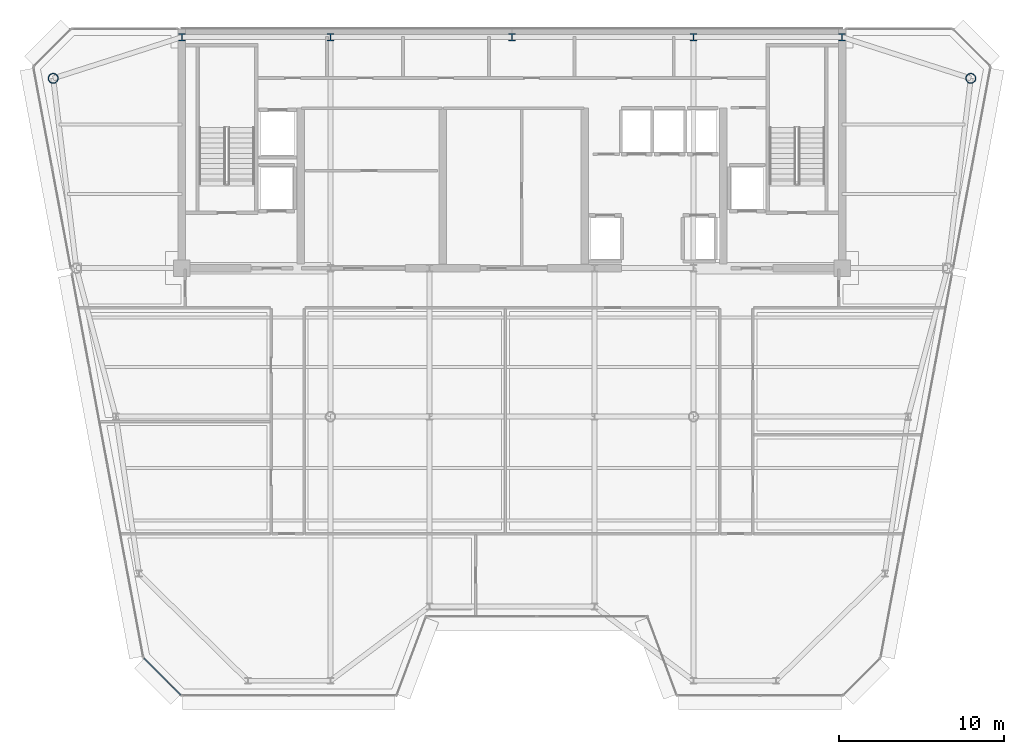
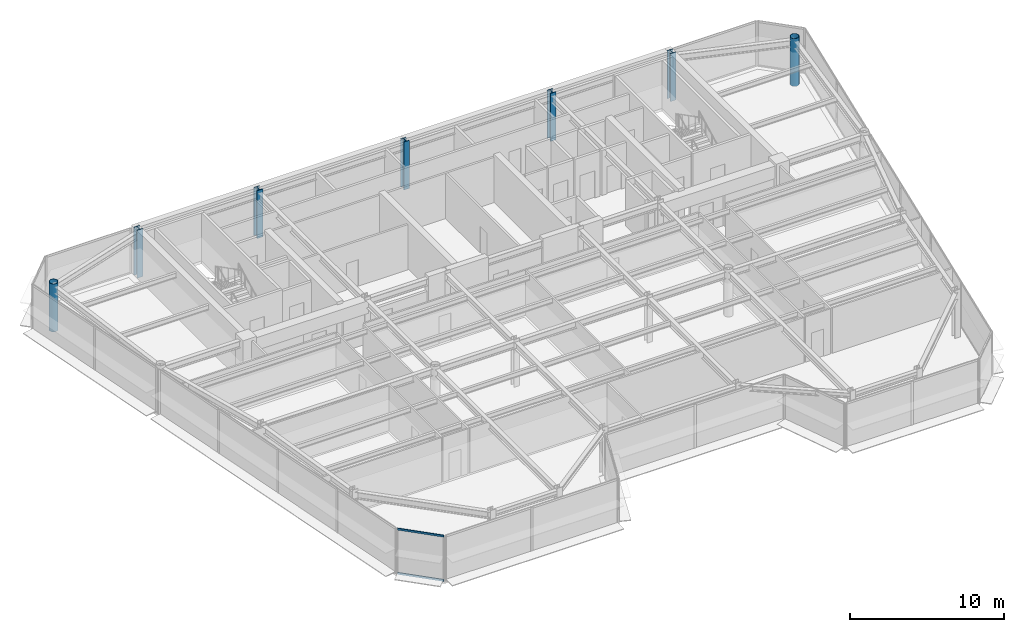
# One storey, part 2 of 19: 7 columns, 2 members, 1 element without a shape of its own.
"""IFC4 building model written with IfcOpenShell, lengths in metres."""

from ifc_helpers import new_model, si_unit, direction, frame, origin, origin_2d, place, context, subcontext, project, spatial, rectangle, hollow_circle, i_section, extrude, source, transform, mapped, material, layer, layer_set, material_profile, profile_set, type_object, element, aggregate, save


model = new_model("IFC4")

# Units and contexts
model_context = context("Model", 3, precision=1e-05, world=origin(), true_north=direction((0.0, 1.0)))
body_context = subcontext(model_context, "Body", "Model", "MODEL_VIEW")
ifc_project = project(units=[si_unit("LENGTHUNIT", "METRE"), si_unit("AREAUNIT", "SQUARE_METRE"), si_unit("VOLUMEUNIT", "CUBIC_METRE"), si_unit("PLANEANGLEUNIT", "RADIAN"), si_unit("MASSUNIT", "GRAM", prefix="KILO")], contexts=[model_context])

# Site, building, storey
site_placement = place(None, origin())
site = spatial("IfcSite", under=ifc_project, at=site_placement, CompositionType="ELEMENT")
building_placement = place(site_placement, origin())
building = spatial("IfcBuilding", under=site, at=building_placement, Name="Vaeldorn Concourse Tower", CompositionType="ELEMENT")
storey_placement = place(building_placement, frame((0.0, 0.0, 249.800048828125)))
storey = spatial("IfcBuildingStorey", under=building, at=storey_placement, Name="L64", CompositionType="ELEMENT", Elevation=249.800048828125)

# Columns
ifc_material_1 = material(Name="Steel S460", Category="steel")
ifc_material_profile_1 = material_profile(ifc_material_1, i_section(OverallWidth=0.41796875, OverallDepth=0.455078125, WebThickness=0.0419921875, FlangeThickness=0.05810546875, FilletRadius=0.014892578125, at=origin_2d()), Name="HD 400x551")
ifc_profile_set_1 = profile_set([ifc_material_profile_1], Name="Steel S460")
column_type_1 = type_object("IfcColumnType", Name="COL-HD551", PredefinedType="COLUMN", material=ifc_profile_set_1)
shared_shape_1 = source(origin(), body_context, "Body", "SweptSolid", [
    extrude(i_section(OverallWidth=0.41796875, OverallDepth=0.455078125, WebThickness=0.0419921875, FlangeThickness=0.05810546875, FilletRadius=0.014892578125, at=origin_2d()), origin(), (0.0, 0.0, 1.0), 3.800048828125),
])
for number, where, z_axis, x_axis, name in (
    (1, (14.0, 50.5, 0.0), (0.0, 0.0, 1.0), (1.0, 0.0, 0.0), "Column C-HC1 L64"),
    (2, (23.0, 50.5, 0.0), (0.0, 0.0, 1.0), (1.0, 0.0, 0.0), "Column C-HC2 L64"),
    (3, (34.0, 50.5, 0.0), (0.0, 0.0, 1.0), (1.0, 0.0, 0.0), "Column C-HC3 L64"),
    (4, (45.0, 50.5, 0.0), (0.0, 0.0, 1.0), (1.0, 0.0, 0.0), "Column C-HC4 L64"),
    (5, (54.0, 50.5, 0.0), (0.0, 0.0, 1.0), (1.0, 0.0, 0.0), "Column C-HC5 L64"),
):
    element("IfcColumn", number, at=place(storey_placement, frame(where, z_axis=z_axis, x_axis=x_axis)), inside=storey, type_object=column_type_1, Name=name, PredefinedType="COLUMN", context=body_context, shape_type="MappedRepresentation", body=[
        mapped(shared_shape_1, transform((0.0, 0.0, 0.0), scale=1.0)),
    ])
ifc_material_2 = material(Name="Steel S355", Category="steel")
ifc_material_profile_2 = material_profile(ifc_material_2, hollow_circle(Radius=0.304931640625, WallThickness=0.030029296875, at=origin_2d()), Name="CHS 610x30")
ifc_profile_set_2 = profile_set([ifc_material_profile_2], Name="Steel S355")
column_type_2 = type_object("IfcColumnType", Name="COL-CHS610", PredefinedType="COLUMN", material=ifc_profile_set_2)
shared_shape_2 = source(origin(), body_context, "Body", "SweptSolid", [
    extrude(hollow_circle(Radius=0.304931640625, WallThickness=0.030029296875, at=origin_2d()), origin(), (0.0, 0.0, 1.0), 3.800048828125),
])
for number, where, z_axis, x_axis, name in (
    (6, (6.199951171875, 48.0, 0.0), (0.0, 0.0, 1.0), (1.0, 0.0, 0.0), "Column C-NW1 L64"),
    (7, (61.800048828125, 48.0, 0.0), (0.0, 0.0, 1.0), (1.0, 0.0, 0.0), "Column C-NE1 L64"),
):
    element("IfcColumn", number, at=place(storey_placement, frame(where, z_axis=z_axis, x_axis=x_axis)), inside=storey, type_object=column_type_2, Name=name, PredefinedType="COLUMN", context=body_context, shape_type="MappedRepresentation", body=[
        mapped(shared_shape_2, transform((0.0, 0.0, 0.0), scale=1.0)),
    ])

# Curtain wall, members
ifc_material_3 = material(Name="Anodised Bronze Aluminium", Category="aluminium")
ifc_layer = layer(ifc_material_3, 0.179931640625)
ifc_layer_set = layer_set([ifc_layer], Name="Anodised Bronze Aluminium")
curtain_wall_type = type_object("IfcCurtainWallType", Name="CW-SYS-05", PredefinedType="NOTDEFINED", material=ifc_layer_set)
curtain_wall_placement = place(storey_placement, origin())
curtain_wall = element("IfcCurtainWall", 8, at=curtain_wall_placement, inside=storey, type_object=curtain_wall_type, Name="Unitised Curtain Wall CW-L64-E12-1", PredefinedType="NOTDEFINED")
ifc_material_profile_3 = material_profile(ifc_material_3, rectangle(XDim=0.06494140625, YDim=0.14990234375, at=origin_2d()), Name="CWT 65x150")
ifc_profile_set_3 = profile_set([ifc_material_profile_3], Name="Anodised Bronze Aluminium")
member_type = type_object("IfcMemberType", Name="CWT-BRONZE-150", PredefinedType="USERDEFINED", material=ifc_profile_set_3)
shared_shape_3 = source(origin(), body_context, "Body", "SweptSolid", [
    extrude(rectangle(XDim=0.06494140625, YDim=0.14990234375, at=origin_2d()), origin(), (0.0, 0.0, 1.0), 3.12255859375),
])
member_1_placement = place(storey_placement, frame((11.7119140625, 12.85400390625, 0.032470703125), z_axis=(0.707106781187, -0.707106781187, 0.0), x_axis=(0.707106781187, 0.707106781187, 0.0)))
member_1 = element("IfcMember", 9, at=member_1_placement, type_object=member_type, Name="CW-05 transom 1.1", ObjectType="TRANSOM", PredefinedType="USERDEFINED", context=body_context, shape_type="MappedRepresentation", body=[
    mapped(shared_shape_3, transform((0.0, 0.0, 0.0), scale=1.0)),
])
member_2_placement = place(storey_placement, frame((11.7119140625, 12.85400390625, 3.54736328125), z_axis=(0.707106781187, -0.707106781187, 0.0), x_axis=(0.707106781187, 0.707106781187, 0.0)))
member_2 = element("IfcMember", 10, at=member_2_placement, type_object=member_type, Name="CW-05 transom 1.2", ObjectType="TRANSOM", PredefinedType="USERDEFINED", context=body_context, shape_type="MappedRepresentation", body=[
    mapped(shared_shape_3, transform((0.0, 0.0, 0.0), scale=1.0)),
])
aggregate(curtain_wall, [member_1, member_2])

save(model, "model.ifc")
